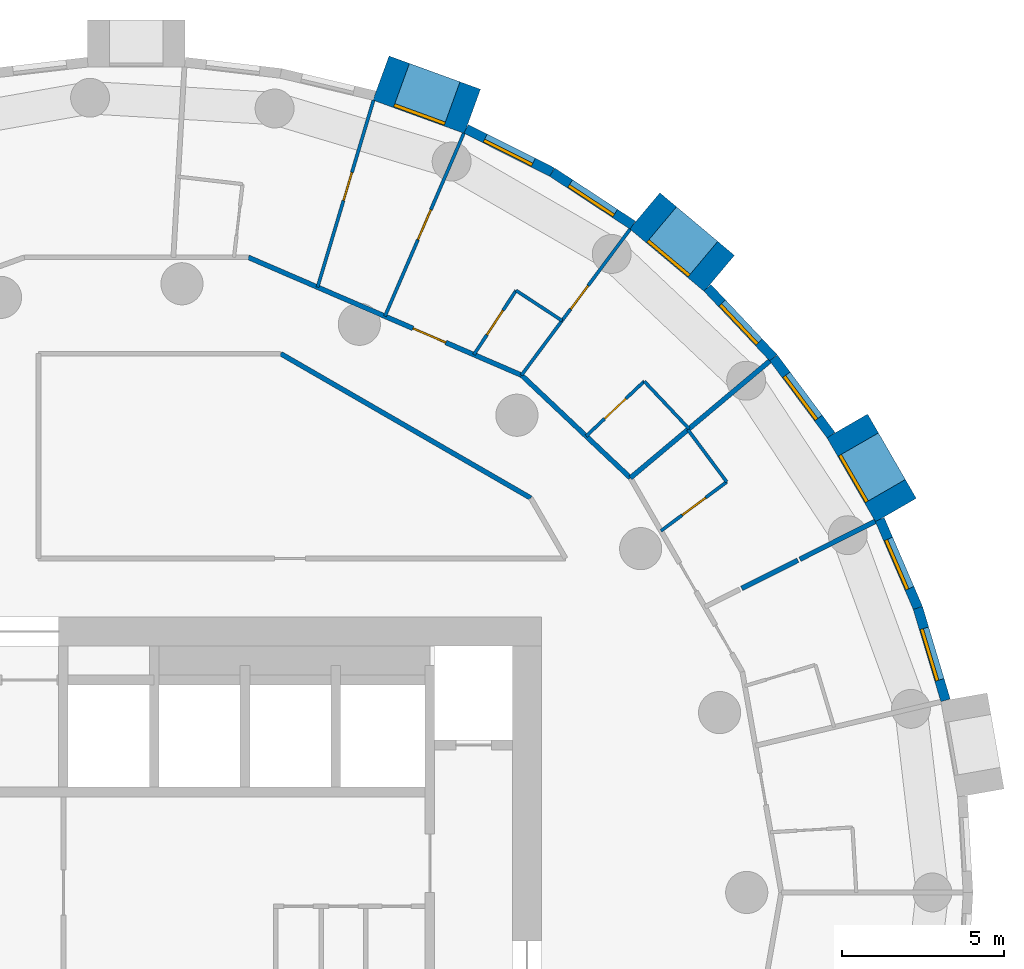
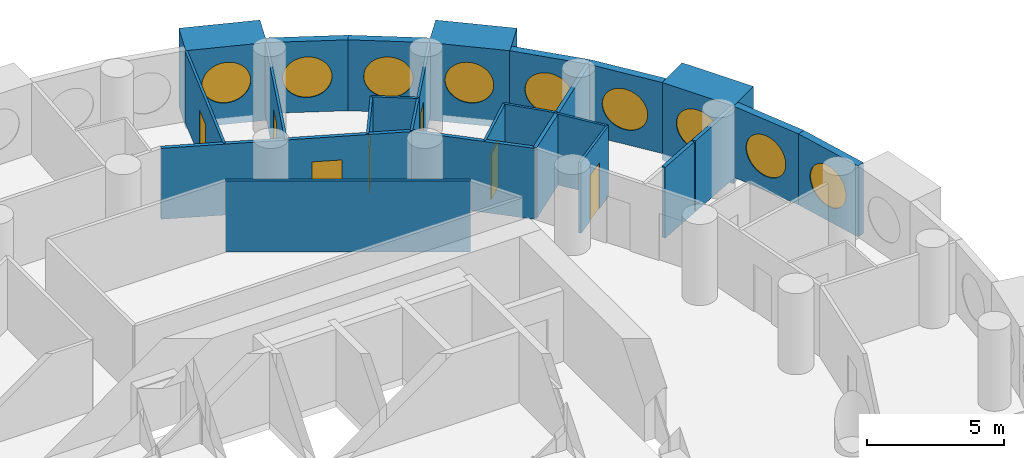
# One storey, part 7 of 9: 26 walls, 9 windows, 7 doors, 16 openings.
"""IFC4 building model written with IfcOpenShell, lengths in metres."""

from ifc_helpers import new_model, si_unit, direction, frame, frame_2d, origin, origin_2d, place, context, subcontext, project, spatial, rectangle, circle, extrude, material, layer, layer_set, type_object, element, fill, save


model = new_model("IFC4")

# Units and contexts
model_context = context("Model", 3, precision=1e-05, world=origin(), true_north=direction((0.0, 1.0)))
body_context = subcontext(model_context, "Body", "Model", "MODEL_VIEW")
ifc_project = project(units=[si_unit("LENGTHUNIT", "METRE"), si_unit("AREAUNIT", "SQUARE_METRE"), si_unit("VOLUMEUNIT", "CUBIC_METRE"), si_unit("PLANEANGLEUNIT", "RADIAN"), si_unit("MASSUNIT", "GRAM", prefix="KILO")], contexts=[model_context])

# Site, building, storey
site_placement = place(None, origin())
site = spatial("IfcSite", under=ifc_project, at=site_placement, CompositionType="ELEMENT")
building_placement = place(site_placement, origin())
building = spatial("IfcBuilding", under=site, at=building_placement, Name="Tracery Tower", CompositionType="ELEMENT")
storey_placement = place(building_placement, frame((0.0, 0.0, 216.0)))
storey = spatial("IfcBuildingStorey", under=building, at=storey_placement, Name="L56", CompositionType="ELEMENT", Elevation=216.0)

# Wall, opening, window
ifc_material_1 = material(Name="Precast concrete C50/60", Category="concrete")
ifc_layer_1 = layer(ifc_material_1, 1.449951171875)
ifc_layer_set_1 = layer_set([ifc_layer_1], Name="Deep-set bay unit 3000 x 3450, slab edge 300")
wall_type_1 = type_object("IfcWallType", Name="Deep-set bay unit 3000 x 3450, slab edge 300", PredefinedType="ELEMENTEDWALL", material=ifc_layer_set_1)
wall_1_placement = place(storey_placement, frame((23.421630859375, 11.79052734375, -0.300048828125), z_axis=(0.0, 0.0, 1.0), x_axis=(-0.499990139034, 0.866031096941, 0.0)))
wall_1 = element("IfcWall", 1, at=wall_1_placement, inside=storey, type_object=wall_type_1, Name="Deep-set bay unit 5 at L56", PredefinedType="ELEMENTEDWALL", context=body_context, shape_type="SweptSolid", body=[
    extrude(rectangle(XDim=3.0, YDim=1.449951171875, at=frame_2d((1.5, 0.0))), origin(), (0.0, 0.0, 1.0), 3.449951171875),
])
opening_1_placement = place(wall_1_placement, frame((1.5, 0.0, 1.85009765625)))
opening_1 = element("IfcOpeningElement", 2, at=opening_1_placement, cuts=wall_1, Name="Opening WN1", PredefinedType="OPENING", context=body_context, shape_type="SweptSolid", body=[
    extrude(circle(Radius=0.9000244140625, at=origin_2d()), frame((0.0, 0.73486328125, 0.0), z_axis=(0.0, -1.0, 0.0), x_axis=(1.0, 0.0, 0.0)), (0.0, 0.0, 1.0), 1.469970703125),
])
ifc_material_2 = material(Name="Aluminium frame with tinted double glazing", Category="aluminium")
window_type = type_object("IfcWindowType", Name="Round window 1800", PartitioningType="SINGLE_PANEL", PredefinedType="WINDOW", material=ifc_material_2)
window_1_placement = place(opening_1_placement, origin())
window_1 = element("IfcWindow", 3, at=window_1_placement, inside=storey, type_object=window_type, Name="Round window 5 at L56", OverallHeight=1.800048828125, OverallWidth=1.800048828125, PartitioningType="SINGLE_PANEL", PredefinedType="WINDOW", context=body_context, shape_type="SweptSolid", body=[
    extrude(circle(Radius=0.9000244140625, at=origin_2d()), frame((0.0, 0.69482421875, 0.0), z_axis=(0.0, -1.0, 0.0), x_axis=(1.0, 0.0, 0.0)), (0.0, 0.0, 1.0), 0.10009765625),
])
fill(opening_1, window_1)

wall_2_placement = place(storey_placement, frame((17.9765625, 19.090087890625, -0.300048828125), z_axis=(0.0, 0.0, 1.0), x_axis=(-0.766022196139, 0.642814121673, 0.0)))
wall_2 = element("IfcWall", 4, at=wall_2_placement, inside=storey, type_object=wall_type_1, Name="Deep-set bay unit 8 at L56", PredefinedType="ELEMENTEDWALL", context=body_context, shape_type="SweptSolid", body=[
    extrude(rectangle(XDim=3.0, YDim=1.449951171875, at=frame_2d((1.5, 0.0))), origin(), (0.0, 0.0, 1.0), 3.449951171875),
])
opening_2_placement = place(wall_2_placement, frame((1.5, 0.0, 1.85009765625)))
opening_2 = element("IfcOpeningElement", 5, at=opening_2_placement, cuts=wall_2, Name="Opening WN1", PredefinedType="OPENING", context=body_context, shape_type="SweptSolid", body=[
    extrude(circle(Radius=0.9000244140625, at=origin_2d()), frame((0.0, 0.73486328125, 0.0), z_axis=(0.0, -1.0, 0.0), x_axis=(1.0, 0.0, 0.0)), (0.0, 0.0, 1.0), 1.469970703125),
])
window_2_placement = place(opening_2_placement, origin())
window_2 = element("IfcWindow", 6, at=window_2_placement, inside=storey, type_object=window_type, Name="Round window 8 at L56", OverallHeight=1.800048828125, OverallWidth=1.800048828125, PartitioningType="SINGLE_PANEL", PredefinedType="WINDOW", context=body_context, shape_type="SweptSolid", body=[
    extrude(circle(Radius=0.9000244140625, at=origin_2d()), frame((0.0, 0.69482421875, 0.0), z_axis=(0.0, -1.0, 0.0), x_axis=(1.0, 0.0, 0.0)), (0.0, 0.0, 1.0), 0.10009765625),
])
fill(opening_2, window_2)

wall_3_placement = place(storey_placement, frame((10.36328125, 24.087158203125, -0.300048828125), z_axis=(0.0, 0.0, 1.0), x_axis=(-0.939686455819, 0.342037080957, 0.0)))
wall_3 = element("IfcWall", 7, at=wall_3_placement, inside=storey, type_object=wall_type_1, Name="Deep-set bay unit 11 at L56", PredefinedType="ELEMENTEDWALL", context=body_context, shape_type="SweptSolid", body=[
    extrude(rectangle(XDim=3.0, YDim=1.449951171875, at=frame_2d((1.5, 0.0))), origin(), (0.0, 0.0, 1.0), 3.449951171875),
])
opening_3_placement = place(wall_3_placement, frame((1.5, 0.0, 1.85009765625)))
opening_3 = element("IfcOpeningElement", 8, at=opening_3_placement, cuts=wall_3, Name="Opening WN1", PredefinedType="OPENING", context=body_context, shape_type="SweptSolid", body=[
    extrude(circle(Radius=0.9000244140625, at=origin_2d()), frame((0.0, 0.73486328125, 0.0), z_axis=(0.0, -1.0, 0.0), x_axis=(1.0, 0.0, 0.0)), (0.0, 0.0, 1.0), 1.469970703125),
])
window_3_placement = place(opening_3_placement, origin())
window_3 = element("IfcWindow", 9, at=window_3_placement, inside=storey, type_object=window_type, Name="Round window 11 at L56", OverallHeight=1.800048828125, OverallWidth=1.800048828125, PartitioningType="SINGLE_PANEL", PredefinedType="WINDOW", context=body_context, shape_type="SweptSolid", body=[
    extrude(circle(Radius=0.9000244140625, at=origin_2d()), frame((0.0, 0.69482421875, 0.0), z_axis=(0.0, -1.0, 0.0), x_axis=(1.0, 0.0, 0.0)), (0.0, 0.0, 1.0), 0.10009765625),
])
fill(opening_3, window_3)

ifc_material_3 = material(Name="Precast concrete C50/60", Category="concrete")
ifc_layer_2 = layer(ifc_material_3, 0.300048828125)
ifc_layer_set_2 = layer_set([ifc_layer_2], Name="Facade panel 3000 x 3150")
wall_type_2 = type_object("IfcWallType", Name="Facade panel 3000 x 3150", PredefinedType="SOLIDWALL", material=ifc_layer_set_2)
wall_4_placement = place(storey_placement, frame((24.953369140625, 5.924072265625, 0.0), z_axis=(0.0, 0.0, 1.0), x_axis=(-0.286782750849, 0.957995643944, 0.0)))
wall_4 = element("IfcWall", 10, at=wall_4_placement, inside=storey, type_object=wall_type_2, Name="Facade panel 3 at L56", PredefinedType="SOLIDWALL", context=body_context, shape_type="SweptSolid", body=[
    extrude(rectangle(XDim=2.97265625, YDim=0.300048828125, at=frame_2d((1.486328125, 0.0))), origin(), (0.0, 0.0, 1.0), 3.14990234375),
])
opening_4_placement = place(wall_4_placement, frame((1.486328125, 0.0, 1.5498046875)))
opening_4 = element("IfcOpeningElement", 11, at=opening_4_placement, cuts=wall_4, Name="Opening WN1", PredefinedType="OPENING", context=body_context, shape_type="SweptSolid", body=[
    extrude(circle(Radius=0.9000244140625, at=origin_2d()), frame((0.0, 0.159912109375, 0.0), z_axis=(0.0, -1.0, 0.0), x_axis=(1.0, 0.0, 0.0)), (0.0, 0.0, 1.0), 0.320068359375),
])
window_4_placement = place(opening_4_placement, origin())
window_4 = element("IfcWindow", 12, at=window_4_placement, inside=storey, type_object=window_type, Name="Round window 3 at L56", OverallHeight=1.800048828125, OverallWidth=1.800048828125, PartitioningType="SINGLE_PANEL", PredefinedType="WINDOW", context=body_context, shape_type="SweptSolid", body=[
    extrude(circle(Radius=0.9000244140625, at=origin_2d()), frame((0.0, 0.1201171875, 0.0), z_axis=(0.0, -1.0, 0.0), x_axis=(1.0, 0.0, 0.0)), (0.0, 0.0, 1.0), 0.10009765625),
])
fill(opening_4, window_4)

wall_5_placement = place(storey_placement, frame((24.100830078125, 8.77197265625, 0.0), z_axis=(0.0, 0.0, 1.0), x_axis=(-0.396148129016, 0.918186614952, 0.0)))
wall_5 = element("IfcWall", 13, at=wall_5_placement, inside=storey, type_object=wall_type_2, Name="Facade panel 4 at L56", PredefinedType="SOLIDWALL", context=body_context, shape_type="SweptSolid", body=[
    extrude(rectangle(XDim=2.972900390625, YDim=0.300048828125, at=frame_2d((1.486328125, 0.0))), origin(), (0.0, 0.0, 1.0), 3.14990234375),
])
opening_5_placement = place(wall_5_placement, frame((1.486328125, 0.0, 1.5498046875)))
opening_5 = element("IfcOpeningElement", 14, at=opening_5_placement, cuts=wall_5, Name="Opening WN1", PredefinedType="OPENING", context=body_context, shape_type="SweptSolid", body=[
    extrude(circle(Radius=0.9000244140625, at=origin_2d()), frame((0.0, 0.159912109375, 0.0), z_axis=(0.0, -1.0, 0.0), x_axis=(1.0, 0.0, 0.0)), (0.0, 0.0, 1.0), 0.320068359375),
])
window_5_placement = place(opening_5_placement, origin())
window_5 = element("IfcWindow", 15, at=window_5_placement, inside=storey, type_object=window_type, Name="Round window 4 at L56", OverallHeight=1.800048828125, OverallWidth=1.800048828125, PartitioningType="SINGLE_PANEL", PredefinedType="WINDOW", context=body_context, shape_type="SweptSolid", body=[
    extrude(circle(Radius=0.9000244140625, at=origin_2d()), frame((0.0, 0.1201171875, 0.0), z_axis=(0.0, -1.0, 0.0), x_axis=(1.0, 0.0, 0.0)), (0.0, 0.0, 1.0), 0.10009765625),
])
fill(opening_5, window_5)

wall_6_placement = place(storey_placement, frame((21.42236328125, 14.101318359375, 0.0), z_axis=(0.0, 0.0, 1.0), x_axis=(-0.597197580538, 0.80209416517, 0.0)))
wall_6 = element("IfcWall", 16, at=wall_6_placement, inside=storey, type_object=wall_type_2, Name="Facade panel 6 at L56", PredefinedType="SOLIDWALL", context=body_context, shape_type="SweptSolid", body=[
    extrude(rectangle(XDim=2.972900390625, YDim=0.300048828125, at=frame_2d((1.486328125, 0.0))), origin(), (0.0, 0.0, 1.0), 3.14990234375),
])
opening_6_placement = place(wall_6_placement, frame((1.486328125, 0.0, 1.5498046875)))
opening_6 = element("IfcOpeningElement", 17, at=opening_6_placement, cuts=wall_6, Name="Opening WN1", PredefinedType="OPENING", context=body_context, shape_type="SweptSolid", body=[
    extrude(circle(Radius=0.9000244140625, at=origin_2d()), frame((0.0, 0.159912109375, 0.0), z_axis=(0.0, -1.0, 0.0), x_axis=(1.0, 0.0, 0.0)), (0.0, 0.0, 1.0), 0.320068359375),
])
window_6_placement = place(opening_6_placement, origin())
window_6 = element("IfcWindow", 18, at=window_6_placement, inside=storey, type_object=window_type, Name="Round window 6 at L56", OverallHeight=1.800048828125, OverallWidth=1.800048828125, PartitioningType="SINGLE_PANEL", PredefinedType="WINDOW", context=body_context, shape_type="SweptSolid", body=[
    extrude(circle(Radius=0.9000244140625, at=origin_2d()), frame((0.0, 0.1201171875, 0.0), z_axis=(0.0, -1.0, 0.0), x_axis=(1.0, 0.0, 0.0)), (0.0, 0.0, 1.0), 0.10009765625),
])
fill(opening_6, window_6)

wall_7_placement = place(storey_placement, frame((19.64697265625, 16.48583984375, 0.0), z_axis=(0.0, 0.0, 1.0), x_axis=(-0.686235184166, 0.727379730273, 0.0)))
wall_7 = element("IfcWall", 19, at=wall_7_placement, inside=storey, type_object=wall_type_2, Name="Facade panel 7 at L56", PredefinedType="SOLIDWALL", context=body_context, shape_type="SweptSolid", body=[
    extrude(rectangle(XDim=2.972900390625, YDim=0.300048828125, at=frame_2d((1.486328125, 0.0))), origin(), (0.0, 0.0, 1.0), 3.14990234375),
])
opening_7_placement = place(wall_7_placement, frame((1.486328125, 0.0, 1.5498046875)))
opening_7 = element("IfcOpeningElement", 20, at=opening_7_placement, cuts=wall_7, Name="Opening WN1", PredefinedType="OPENING", context=body_context, shape_type="SweptSolid", body=[
    extrude(circle(Radius=0.9000244140625, at=origin_2d()), frame((0.0, 0.159912109375, 0.0), z_axis=(0.0, -1.0, 0.0), x_axis=(1.0, 0.0, 0.0)), (0.0, 0.0, 1.0), 0.320068359375),
])
window_7_placement = place(opening_7_placement, origin())
window_7 = element("IfcWindow", 21, at=window_7_placement, inside=storey, type_object=window_type, Name="Round window 7 at L56", OverallHeight=1.800048828125, OverallWidth=1.800048828125, PartitioningType="SINGLE_PANEL", PredefinedType="WINDOW", context=body_context, shape_type="SweptSolid", body=[
    extrude(circle(Radius=0.9000244140625, at=origin_2d()), frame((0.0, 0.1201171875, 0.0), z_axis=(0.0, -1.0, 0.0), x_axis=(1.0, 0.0, 0.0)), (0.0, 0.0, 1.0), 0.10009765625),
])
fill(opening_7, window_7)

wall_8_placement = place(storey_placement, frame((15.3076171875, 20.57763671875, 0.0), z_axis=(0.0, 0.0, 1.0), x_axis=(-0.835470659512, 0.549535055382, 0.0)))
wall_8 = element("IfcWall", 22, at=wall_8_placement, inside=storey, type_object=wall_type_2, Name="Facade panel 9 at L56", PredefinedType="SOLIDWALL", context=body_context, shape_type="SweptSolid", body=[
    extrude(rectangle(XDim=2.97314453125, YDim=0.300048828125, at=frame_2d((1.486572265625, 0.0))), origin(), (0.0, 0.0, 1.0), 3.14990234375),
])
opening_8_placement = place(wall_8_placement, frame((1.486328125, 0.0, 1.5498046875)))
opening_8 = element("IfcOpeningElement", 23, at=opening_8_placement, cuts=wall_8, Name="Opening WN1", PredefinedType="OPENING", context=body_context, shape_type="SweptSolid", body=[
    extrude(circle(Radius=0.9000244140625, at=origin_2d()), frame((0.0, 0.159912109375, 0.0), z_axis=(0.0, -1.0, 0.0), x_axis=(1.0, 0.0, 0.0)), (0.0, 0.0, 1.0), 0.320068359375),
])
window_8_placement = place(opening_8_placement, origin())
window_8 = element("IfcWindow", 24, at=window_8_placement, inside=storey, type_object=window_type, Name="Round window 9 at L56", OverallHeight=1.800048828125, OverallWidth=1.800048828125, PartitioningType="SINGLE_PANEL", PredefinedType="WINDOW", context=body_context, shape_type="SweptSolid", body=[
    extrude(circle(Radius=0.9000244140625, at=origin_2d()), frame((0.0, 0.1201171875, 0.0), z_axis=(0.0, -1.0, 0.0), x_axis=(1.0, 0.0, 0.0)), (0.0, 0.0, 1.0), 0.10009765625),
])
fill(opening_8, window_8)

wall_9_placement = place(storey_placement, frame((12.82373046875, 22.21142578125, 0.0), z_axis=(0.0, 0.0, 1.0), x_axis=(-0.893637442555, 0.448789618045, 0.0)))
wall_9 = element("IfcWall", 25, at=wall_9_placement, inside=storey, type_object=wall_type_2, Name="Facade panel 10 at L56", PredefinedType="SOLIDWALL", context=body_context, shape_type="SweptSolid", body=[
    extrude(rectangle(XDim=2.972900390625, YDim=0.300048828125, at=frame_2d((1.486328125, 0.0))), origin(), (0.0, 0.0, 1.0), 3.14990234375),
])
opening_9_placement = place(wall_9_placement, frame((1.486328125, 0.0, 1.5498046875)))
opening_9 = element("IfcOpeningElement", 26, at=opening_9_placement, cuts=wall_9, Name="Opening WN1", PredefinedType="OPENING", context=body_context, shape_type="SweptSolid", body=[
    extrude(circle(Radius=0.9000244140625, at=origin_2d()), frame((0.0, 0.159912109375, 0.0), z_axis=(0.0, -1.0, 0.0), x_axis=(1.0, 0.0, 0.0)), (0.0, 0.0, 1.0), 0.320068359375),
])
window_9_placement = place(opening_9_placement, origin())
window_9 = element("IfcWindow", 27, at=window_9_placement, inside=storey, type_object=window_type, Name="Round window 10 at L56", OverallHeight=1.800048828125, OverallWidth=1.800048828125, PartitioningType="SINGLE_PANEL", PredefinedType="WINDOW", context=body_context, shape_type="SweptSolid", body=[
    extrude(circle(Radius=0.9000244140625, at=origin_2d()), frame((0.0, 0.1201171875, 0.0), z_axis=(0.0, -1.0, 0.0), x_axis=(1.0, 0.0, 0.0)), (0.0, 0.0, 1.0), 0.10009765625),
])
fill(opening_9, window_9)

# Wall, opening, door
ifc_material_4 = material(Name="Plasterboard on steel studs", Category="steel")
ifc_layer_3 = layer(ifc_material_4, 0.10009765625)
ifc_layer_set_3 = layer_set([ifc_layer_3], Name="Partition 100 stud")
wall_type_3 = type_object("IfcWallType", Name="Partition 100 stud", PredefinedType="PARTITIONING", material=ifc_layer_set_3)
wall_10_placement = place(storey_placement, frame((7.6650390625, 17.76904296875, 0.0), z_axis=(0.0, 0.0, 1.0), x_axis=(0.396066155507, 0.918221977771, 0.0)))
wall_10 = element("IfcWall", 28, at=wall_10_placement, inside=storey, type_object=wall_type_3, Name="Stud partition RB9-052", PredefinedType="PARTITIONING", context=body_context, shape_type="SweptSolid", body=[
    extrude(rectangle(XDim=6.145751953125, YDim=0.10009765625, at=frame_2d((3.07275390625, 0.0))), origin(), (0.0, 0.0, 1.0), 3.14990234375),
])
opening_10_placement = place(wall_10_placement, frame((2.572998046875, 0.0, 0.0)))
opening_10 = element("IfcOpeningElement", 29, at=opening_10_placement, cuts=wall_10, Name="Opening RB9-12", PredefinedType="OPENING", context=body_context, shape_type="SweptSolid", body=[
    extrude(rectangle(XDim=1.0, YDim=2.0400390625, at=frame_2d((0.5, 1.02001953125))), frame((0.0, 0.050048828125, 0.0), z_axis=(0.0, -1.0, 0.0), x_axis=(1.0, 0.0, 0.0)), (0.0, 0.0, 1.0), 0.10009765625),
])
ifc_material_5 = material(Name="Timber door leaf", Category="wood")
door_type_1 = type_object("IfcDoorType", Name="Door communal room 1000", OperationType="NOTDEFINED", PredefinedType="DOOR", material=ifc_material_5)
door_1_placement = place(opening_10_placement, origin())
door_1 = element("IfcDoor", 30, at=door_1_placement, inside=storey, type_object=door_type_1, Name="Communal room door RB9-12", OperationType="SINGLE_SWING_RIGHT", OverallHeight=2.0400390625, OverallWidth=1.0, PredefinedType="DOOR", context=body_context, shape_type="SweptSolid", body=[
    extrude(rectangle(XDim=1.0, YDim=2.0400390625, at=frame_2d((0.5, 1.02001953125))), frame((0.0, 0.02490234375, 0.0), z_axis=(0.0, -1.0, 0.0), x_axis=(1.0, 0.0, 0.0)), (0.0, 0.0, 1.0), 0.050048828125),
])
fill(opening_10, door_1)

wall_11_placement = place(storey_placement, frame((13.1259765625, 17.632080078125, 0.0), z_axis=(0.0, 0.0, 1.0), x_axis=(0.597307961824, 0.802011969201, 0.0)))
wall_11 = element("IfcWall", 31, at=wall_11_placement, inside=storey, type_object=wall_type_3, Name="Stud partition RB9-055", PredefinedType="PARTITIONING", context=body_context, shape_type="SweptSolid", body=[
    extrude(rectangle(XDim=3.515869140625, YDim=0.10009765625, at=frame_2d((1.7578125, 0.0))), origin(), (0.0, 0.0, 1.0), 3.14990234375),
])
opening_11_placement = place(wall_11_placement, frame((0.447021484375, 0.0, 0.0)))
opening_11 = element("IfcOpeningElement", 32, at=opening_11_placement, cuts=wall_11, Name="Opening RB9-14", PredefinedType="OPENING", context=body_context, shape_type="SweptSolid", body=[
    extrude(rectangle(XDim=0.89990234375, YDim=2.10009765625, at=frame_2d((0.449951171875, 1.050048828125))), frame((0.0, 0.050048828125, 0.0), z_axis=(0.0, -1.0, 0.0), x_axis=(1.0, 0.0, 0.0)), (0.0, 0.0, 1.0), 0.10009765625),
])
ifc_material_6 = material(Name="Timber door leaf", Category="wood")
door_type_2 = type_object("IfcDoorType", Name="Door bedroom 900", OperationType="NOTDEFINED", PredefinedType="DOOR", material=ifc_material_6)
door_2_placement = place(opening_11_placement, origin())
door_2 = element("IfcDoor", 33, at=door_2_placement, inside=storey, type_object=door_type_2, Name="Bedroom door RB9-14", OperationType="SINGLE_SWING_RIGHT", OverallHeight=2.10009765625, OverallWidth=0.89990234375, PredefinedType="DOOR", context=body_context, shape_type="SweptSolid", body=[
    extrude(rectangle(XDim=0.89990234375, YDim=2.10009765625, at=frame_2d((0.449951171875, 1.050048828125))), frame((0.0, 0.02490234375, 0.0), z_axis=(0.0, -1.0, 0.0), x_axis=(1.0, 0.0, 0.0)), (0.0, 0.0, 1.0), 0.050048828125),
])
fill(opening_11, door_2)

wall_12_placement = place(storey_placement, frame((5.587890625, 18.6650390625, 0.0), z_axis=(0.0, 0.0, 1.0), x_axis=(0.286859936776, 0.957972534404, 0.0)))
wall_12 = element("IfcWall", 34, at=wall_12_placement, inside=storey, type_object=wall_type_3, Name="Stud partition RB9-056", PredefinedType="PARTITIONING", context=body_context, shape_type="SweptSolid", body=[
    extrude(rectangle(XDim=6.013671875, YDim=0.10009765625, at=frame_2d((3.0068359375, 0.0))), origin(), (0.0, 0.0, 1.0), 3.14990234375),
])
opening_12_placement = place(wall_12_placement, frame((2.79296875, 0.0, 0.0)))
opening_12 = element("IfcOpeningElement", 35, at=opening_12_placement, cuts=wall_12, Name="Opening RB9-16", PredefinedType="OPENING", context=body_context, shape_type="SweptSolid", body=[
    extrude(rectangle(XDim=0.89990234375, YDim=2.10009765625, at=frame_2d((0.449951171875, 1.050048828125))), frame((0.0, 0.050048828125, 0.0), z_axis=(0.0, -1.0, 0.0), x_axis=(1.0, 0.0, 0.0)), (0.0, 0.0, 1.0), 0.10009765625),
])
door_3_placement = place(opening_12_placement, origin())
door_3 = element("IfcDoor", 36, at=door_3_placement, inside=storey, type_object=door_type_2, Name="Bedroom door RB9-16", OperationType="SINGLE_SWING_RIGHT", OverallHeight=2.10009765625, OverallWidth=0.89990234375, PredefinedType="DOOR", context=body_context, shape_type="SweptSolid", body=[
    extrude(rectangle(XDim=0.89990234375, YDim=2.10009765625, at=frame_2d((0.449951171875, 1.050048828125))), frame((0.0, 0.02490234375, 0.0), z_axis=(0.0, -1.0, 0.0), x_axis=(1.0, 0.0, 0.0)), (0.0, 0.0, 1.0), 0.050048828125),
])
fill(opening_12, door_3)

ifc_material_7 = material(Name="Plasterboard on steel studs", Category="steel")
ifc_layer_4 = layer(ifc_material_7, 0.10009765625)
ifc_layer_set_4 = layer_set([ifc_layer_4], Name="Partition 100 wet wall")
wall_type_4 = type_object("IfcWallType", Name="Partition 100 wet wall", PredefinedType="PARTITIONING", material=ifc_layer_set_4)
wall_13_placement = place(storey_placement, frame((16.177978515625, 11.14990234375, 0.0), z_axis=(0.0, 0.0, 1.0), x_axis=(0.8020923136, 0.597200067367, 0.0)))
wall_13 = element("IfcWall", 37, at=wall_13_placement, inside=storey, type_object=wall_type_4, Name="Wet wall RB9-048", PredefinedType="PARTITIONING", context=body_context, shape_type="SweptSolid", body=[
    extrude(rectangle(XDim=2.528564453125, YDim=0.10009765625, at=frame_2d((1.26416015625, 0.0))), origin(), (0.0, 0.0, 1.0), 3.14990234375),
])
opening_13_placement = place(wall_13_placement, frame((0.81396484375, 0.0, 0.0)))
opening_13 = element("IfcOpeningElement", 38, at=opening_13_placement, cuts=wall_13, Name="Opening RB9-09", PredefinedType="OPENING", context=body_context, shape_type="SweptSolid", body=[
    extrude(rectangle(XDim=0.89990234375, YDim=2.0400390625, at=frame_2d((0.449951171875, 1.02001953125))), frame((0.0, 0.050048828125, 0.0), z_axis=(0.0, -1.0, 0.0), x_axis=(1.0, 0.0, 0.0)), (0.0, 0.0, 1.0), 0.10009765625),
])
ifc_material_8 = material(Name="Timber door leaf", Category="wood")
door_type_3 = type_object("IfcDoorType", Name="Door en-suite 900", OperationType="NOTDEFINED", PredefinedType="DOOR", material=ifc_material_8)
door_4_placement = place(opening_13_placement, origin())
door_4 = element("IfcDoor", 39, at=door_4_placement, inside=storey, type_object=door_type_3, Name="En-suite door RB9-09", OperationType="SINGLE_SWING_LEFT", OverallHeight=2.0400390625, OverallWidth=0.89990234375, PredefinedType="DOOR", context=body_context, shape_type="SweptSolid", body=[
    extrude(rectangle(XDim=0.89990234375, YDim=2.0400390625, at=frame_2d((0.449951171875, 1.02001953125))), frame((0.0, 0.02490234375, 0.0), z_axis=(0.0, -1.0, 0.0), x_axis=(1.0, 0.0, 0.0)), (0.0, 0.0, 1.0), 0.050048828125),
])
fill(opening_13, door_4)

# Walls
wall_14_placement = place(storey_placement, frame((17.007080078125, 14.27099609375, 0.0), z_axis=(0.0, 0.0, 1.0), x_axis=(0.597019866774, -0.802226450996, 0.0)))
element("IfcWall", 40, at=wall_14_placement, inside=storey, type_object=wall_type_4, Name="Wet wall RB9-049", PredefinedType="PARTITIONING", context=body_context, shape_type="SweptSolid", body=[
    extrude(rectangle(XDim=2.00830078125, YDim=0.10009765625, at=frame_2d((1.004150390625, 0.0))), origin(), (0.0, 0.0, 1.0), 3.14990234375),
])
wall_15_placement = place(storey_placement, frame((11.7099609375, 18.56298828125, 0.0), z_axis=(0.0, 0.0, 1.0), x_axis=(0.835601560763, -0.549335991584, 0.0)))
element("IfcWall", 41, at=wall_15_placement, inside=storey, type_object=wall_type_4, Name="Wet wall RB9-053", PredefinedType="PARTITIONING", context=body_context, shape_type="SweptSolid", body=[
    extrude(rectangle(XDim=1.694580078125, YDim=0.10009765625, at=frame_2d((0.84716796875, 0.0))), origin(), (0.0, 0.0, 1.0), 3.14990234375),
])

# Wall, opening, door
wall_16_placement = place(storey_placement, frame((10.408935546875, 16.5849609375, 0.0), z_axis=(0.0, 0.0, 1.0), x_axis=(0.549525589293, 0.835476885804, 0.0)))
wall_16 = element("IfcWall", 42, at=wall_16_placement, inside=storey, type_object=wall_type_4, Name="Wet wall RB9-054", PredefinedType="PARTITIONING", context=body_context, shape_type="SweptSolid", body=[
    extrude(rectangle(XDim=2.367431640625, YDim=0.10009765625, at=frame_2d((1.18359375, 0.0))), origin(), (0.0, 0.0, 1.0), 3.14990234375),
])
opening_14_placement = place(wall_16_placement, frame((0.7333984375, 0.0, 0.0)))
opening_14 = element("IfcOpeningElement", 43, at=opening_14_placement, cuts=wall_16, Name="Opening RB9-13", PredefinedType="OPENING", context=body_context, shape_type="SweptSolid", body=[
    extrude(rectangle(XDim=0.89990234375, YDim=2.0, at=frame_2d((0.449951171875, 1.0))), frame((0.0, 0.050048828125, 0.0), z_axis=(0.0, -1.0, 0.0), x_axis=(1.0, 0.0, 0.0)), (0.0, 0.0, 1.0), 0.10009765625),
])
ifc_material_9 = material(Name="Timber door leaf", Category="wood")
door_type_4 = type_object("IfcDoorType", Name="Door shower room 900", OperationType="NOTDEFINED", PredefinedType="DOOR", material=ifc_material_9)
door_5_placement = place(opening_14_placement, origin())
door_5 = element("IfcDoor", 44, at=door_5_placement, inside=storey, type_object=door_type_4, Name="Shower room door RB9-13", OperationType="SINGLE_SWING_RIGHT", OverallHeight=2.0, OverallWidth=0.89990234375, PredefinedType="DOOR", context=body_context, shape_type="SweptSolid", body=[
    extrude(rectangle(XDim=0.89990234375, YDim=2.0, at=frame_2d((0.449951171875, 1.0))), frame((0.0, 0.02490234375, 0.0), z_axis=(0.0, -1.0, 0.0), x_axis=(1.0, 0.0, 0.0)), (0.0, 0.0, 1.0), 0.050048828125),
])
fill(opening_14, door_5)

# Walls
wall_17_placement = place(storey_placement, frame((11.8759765625, 15.951904296875, 0.0), z_axis=(0.0, 0.0, 1.0), x_axis=(0.596899091673, 0.802316318144, 0.0)))
element("IfcWall", 45, at=wall_17_placement, inside=storey, type_object=wall_type_4, Name="Wet wall RB9-057", PredefinedType="PARTITIONING", context=body_context, shape_type="SweptSolid", body=[
    extrude(rectangle(XDim=2.09423828125, YDim=0.10009765625, at=frame_2d((1.047119140625, 0.0))), origin(), (0.0, 0.0, 1.0), 3.14990234375),
])
wall_18_placement = place(storey_placement, frame((15.662109375, 15.762939453125, 0.0), z_axis=(0.0, 0.0, 1.0), x_axis=(0.686167098493, -0.727443958629, 0.0)))
element("IfcWall", 46, at=wall_18_placement, inside=storey, type_object=wall_type_4, Name="Wet wall RB9-058", PredefinedType="PARTITIONING", context=body_context, shape_type="SweptSolid", body=[
    extrude(rectangle(XDim=2.010986328125, YDim=0.10009765625, at=frame_2d((1.00537109375, 0.0))), origin(), (0.0, 0.0, 1.0), 3.14990234375),
])

# Wall, opening, door
wall_19_placement = place(storey_placement, frame((13.8701171875, 14.072021484375, 0.0), z_axis=(0.0, 0.0, 1.0), x_axis=(0.727320856717, 0.686297582237, 0.0)))
wall_19 = element("IfcWall", 47, at=wall_19_placement, inside=storey, type_object=wall_type_4, Name="Wet wall RB9-059", PredefinedType="PARTITIONING", context=body_context, shape_type="SweptSolid", body=[
    extrude(rectangle(XDim=2.4638671875, YDim=0.10009765625, at=frame_2d((1.23193359375, 0.0))), origin(), (0.0, 0.0, 1.0), 3.14990234375),
])
opening_15_placement = place(wall_19_placement, frame((0.781982421875, 0.0, 0.0)))
opening_15 = element("IfcOpeningElement", 48, at=opening_15_placement, cuts=wall_19, Name="Opening RB9-15", PredefinedType="OPENING", context=body_context, shape_type="SweptSolid", body=[
    extrude(rectangle(XDim=0.89990234375, YDim=2.0400390625, at=frame_2d((0.449951171875, 1.02001953125))), frame((0.0, 0.050048828125, 0.0), z_axis=(0.0, -1.0, 0.0), x_axis=(1.0, 0.0, 0.0)), (0.0, 0.0, 1.0), 0.10009765625),
])
door_6_placement = place(opening_15_placement, origin())
door_6 = element("IfcDoor", 49, at=door_6_placement, inside=storey, type_object=door_type_3, Name="En-suite door RB9-15", OperationType="SINGLE_SWING_RIGHT", OverallHeight=2.0400390625, OverallWidth=0.89990234375, PredefinedType="DOOR", context=body_context, shape_type="SweptSolid", body=[
    extrude(rectangle(XDim=0.89990234375, YDim=2.0400390625, at=frame_2d((0.449951171875, 1.02001953125))), frame((0.0, 0.02490234375, 0.0), z_axis=(0.0, -1.0, 0.0), x_axis=(1.0, 0.0, 0.0)), (0.0, 0.0, 1.0), 0.050048828125),
])
fill(opening_15, door_6)

# Walls
ifc_material_10 = material(Name="Plasterboard on steel studs", Category="steel")
ifc_layer_5 = layer(ifc_material_10, 0.14990234375)
ifc_layer_set_5 = layer_set([ifc_layer_5], Name="Partition 150 acoustic unit wall")
wall_type_5 = type_object("IfcWallType", Name="Partition 150 acoustic unit wall", PredefinedType="PARTITIONING", material=ifc_layer_set_5)
wall_20_placement = place(storey_placement, frame((20.4599609375, 10.27490234375, 0.0), z_axis=(0.0, 0.0, 1.0), x_axis=(0.893543449143, 0.448976730458, 0.0)))
element("IfcWall", 50, at=wall_20_placement, inside=storey, type_object=wall_type_5, Name="Unit wall RB9-046", PredefinedType="PARTITIONING", context=body_context, shape_type="SweptSolid", body=[
    extrude(rectangle(XDim=2.60205078125, YDim=0.14990234375, at=frame_2d((1.301025390625, 0.0))), origin(), (0.0, 0.0, 1.0), 3.14990234375),
])
wall_21_placement = place(storey_placement, frame((18.669921875, 9.3759765625, 0.0), z_axis=(0.0, 0.0, 1.0), x_axis=(0.893466318026, 0.449130202227, 0.0)))
element("IfcWall", 51, at=wall_21_placement, inside=storey, type_object=wall_type_5, Name="Unit wall RB9-047", PredefinedType="PARTITIONING", context=body_context, shape_type="SweptSolid", body=[
    extrude(rectangle(XDim=1.93505859375, YDim=0.14990234375, at=frame_2d((0.967529296875, 0.0))), origin(), (0.0, 0.0, 1.0), 3.14990234375),
])
wall_22_placement = place(storey_placement, frame((17.0390625, 14.297119140625, 0.0), z_axis=(0.0, 0.0, 1.0), x_axis=(0.766046154737, 0.642785569854, 0.0)))
element("IfcWall", 52, at=wall_22_placement, inside=storey, type_object=wall_type_5, Name="Unit wall RB9-050", PredefinedType="PARTITIONING", context=body_context, shape_type="SweptSolid", body=[
    extrude(rectangle(XDim=3.254150390625, YDim=0.14990234375, at=frame_2d((1.626953125, 0.0))), origin(), (0.0, 0.0, 1.0), 3.14990234375),
])
wall_23_placement = place(storey_placement, frame((15.235107421875, 12.783935546875, 0.0), z_axis=(0.0, 0.0, 1.0), x_axis=(0.766002094084, 0.642838075925, 0.0)))
element("IfcWall", 53, at=wall_23_placement, inside=storey, type_object=wall_type_5, Name="Unit wall RB9-051", PredefinedType="PARTITIONING", context=body_context, shape_type="SweptSolid", body=[
    extrude(rectangle(XDim=2.313232421875, YDim=0.14990234375, at=frame_2d((1.15673828125, 0.0))), origin(), (0.0, 0.0, 1.0), 3.14990234375),
])
ifc_material_11 = material(Name="Plasterboard on steel studs", Category="steel")
ifc_layer_6 = layer(ifc_material_11, 0.14990234375)
ifc_layer_set_6 = layer_set([ifc_layer_6], Name="Partition 150 corridor wall")
wall_type_6 = type_object("IfcWallType", Name="Partition 150 corridor wall", PredefinedType="PARTITIONING", material=ifc_layer_set_6)
wall_24_placement = place(storey_placement, frame((11.876953125, 15.952880859375, 0.0), z_axis=(0.0, 0.0, 1.0), x_axis=(0.727299029876, -0.686320713035, 0.0)))
element("IfcWall", 54, at=wall_24_placement, inside=storey, type_object=wall_type_6, Name="Corridor wall RB9-009", PredefinedType="PARTITIONING", context=body_context, shape_type="SweptSolid", body=[
    extrude(rectangle(XDim=4.6171875, YDim=0.14990234375, at=frame_2d((2.30859375, 0.0))), origin(), (0.0, 0.0, 1.0), 3.14990234375),
])
wall_25_placement = place(storey_placement, frame((4.451904296875, 16.614013671875, 0.0), z_axis=(0.0, 0.0, 1.0), x_axis=(0.866005203721, -0.500034985904, 0.0)))
element("IfcWall", 55, at=wall_25_placement, inside=storey, type_object=wall_type_6, Name="Corridor wall RB9-015", PredefinedType="PARTITIONING", context=body_context, shape_type="SweptSolid", body=[
    extrude(rectangle(XDim=8.903076171875, YDim=0.14990234375, at=frame_2d((4.45166015625, 0.0))), origin(), (0.0, 0.0, 1.0), 3.14990234375),
])

# Wall, opening, door
wall_26_placement = place(storey_placement, frame((3.452880859375, 19.585693359375, 0.0), z_axis=(0.0, 0.0, 1.0), x_axis=(0.918175908205, -0.396172944044, 0.0)))
wall_26 = element("IfcWall", 56, at=wall_26_placement, inside=storey, type_object=wall_type_6, Name="Corridor wall RB9-018", PredefinedType="PARTITIONING", context=body_context, shape_type="SweptSolid", body=[
    extrude(rectangle(XDim=9.17333984375, YDim=0.14990234375, at=frame_2d((4.586669921875, 0.0))), origin(), (0.0, 0.0, 1.0), 3.14990234375),
])
opening_16_placement = place(wall_26_placement, frame((5.531005859375, 0.0, 0.0)))
opening_16 = element("IfcOpeningElement", 57, at=opening_16_placement, cuts=wall_26, Name="Opening RB9-11", PredefinedType="OPENING", context=body_context, shape_type="SweptSolid", body=[
    extrude(rectangle(XDim=1.10009765625, YDim=2.10009765625, at=frame_2d((0.550048828125, 1.050048828125))), frame((0.0, 0.074951171875, 0.0), z_axis=(0.0, -1.0, 0.0), x_axis=(1.0, 0.0, 0.0)), (0.0, 0.0, 1.0), 0.14990234375),
])
ifc_material_12 = material(Name="Timber door leaf", Category="wood")
door_type_5 = type_object("IfcDoorType", Name="Door cluster entrance 1100", OperationType="NOTDEFINED", PredefinedType="DOOR", material=ifc_material_12)
door_7_placement = place(opening_16_placement, origin())
door_7 = element("IfcDoor", 58, at=door_7_placement, inside=storey, type_object=door_type_5, Name="Cluster entrance door RB9-11", OperationType="SINGLE_SWING_LEFT", OverallHeight=2.10009765625, OverallWidth=1.10009765625, PredefinedType="DOOR", context=body_context, shape_type="SweptSolid", body=[
    extrude(rectangle(XDim=1.10009765625, YDim=2.10009765625, at=frame_2d((0.550048828125, 1.050048828125))), frame((0.0, 0.02490234375, 0.0), z_axis=(0.0, -1.0, 0.0), x_axis=(1.0, 0.0, 0.0)), (0.0, 0.0, 1.0), 0.050048828125),
])
fill(opening_16, door_7)

save(model, "model.ifc")
